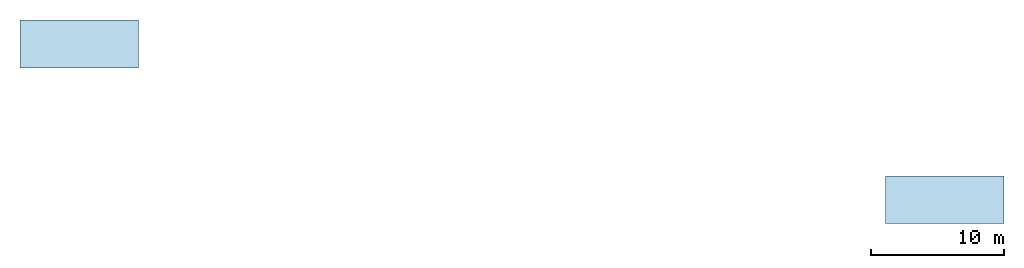
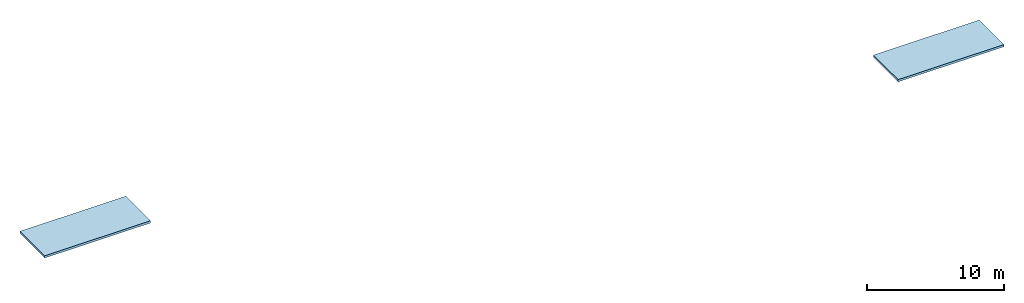
# One storey: 2 slabs.
"""IFC4 building model written with IfcOpenShell, lengths in metres."""

from ifc_helpers import new_model, si_unit, direction, frame, origin, place, context, subcontext, project, spatial, polyline, outline, extrude, material, layer, layer_set, type_object, element, save


model = new_model("IFC4")

# Units and contexts
model_context = context("Model", 3, precision=1e-05, world=origin(), true_north=direction((0.0, 1.0)))
body_context = subcontext(model_context, "Body", "Model", "MODEL_VIEW")
ifc_project = project(units=[si_unit("LENGTHUNIT", "METRE"), si_unit("AREAUNIT", "SQUARE_METRE"), si_unit("VOLUMEUNIT", "CUBIC_METRE"), si_unit("PLANEANGLEUNIT", "RADIAN"), si_unit("MASSUNIT", "GRAM", prefix="KILO")], contexts=[model_context])

# Site, building, storey
site_placement = place(None, origin())
site = spatial("IfcSite", under=ifc_project, at=site_placement, CompositionType="ELEMENT")
building_placement = place(site_placement, origin())
building = spatial("IfcBuilding", under=site, at=building_placement, Name="Lancet Gate Hotel", CompositionType="ELEMENT")
storey_placement = place(building_placement, frame((0.0, 0.0, 276.800048828125)))
storey = spatial("IfcBuildingStorey", under=building, at=storey_placement, Name="UPPER ROOF", CompositionType="ELEMENT", Elevation=276.800048828125)

# Slabs
ifc_material = material(Name="Concrete C40/50", Category="concrete")
ifc_layer = layer(ifc_material, 0.199951171875)
ifc_layer_set = layer_set([ifc_layer], Name="Head-house roof slab 200")
slab_type = type_object("IfcSlabType", Name="Head-house roof slab 200", PredefinedType="ROOF", material=ifc_layer_set)
slab_1_placement = place(storey_placement, frame((0.0, 0.0, -0.5)))
element("IfcSlab", 1, at=slab_1_placement, inside=storey, type_object=slab_type, Name="T1 stair head-house roof", PredefinedType="ROOF", context=body_context, shape_type="SweptSolid", body=[
    extrude(outline(polyline([(-36.949951171875, 7.64990234375), (-36.949951171875, 4.050048828125), (-28.050048828125, 4.050048828125), (-28.050048828125, 7.64990234375), (-36.949951171875, 7.64990234375)])), origin(), (0.0, 0.0, 1.0), 0.199951171875),
])
slab_2_placement = place(storey_placement, frame((0.0, 0.0, -0.5)))
element("IfcSlab", 2, at=slab_2_placement, inside=storey, type_object=slab_type, Name="T2 stair head-house roof", PredefinedType="ROOF", context=body_context, shape_type="SweptSolid", body=[
    extrude(outline(polyline([(36.949951171875, -7.64990234375), (36.949951171875, -4.050048828125), (28.050048828125, -4.050048828125), (28.050048828125, -7.64990234375), (36.949951171875, -7.64990234375)])), origin(), (0.0, 0.0, 1.0), 0.199951171875),
])

save(model, "model.ifc")
